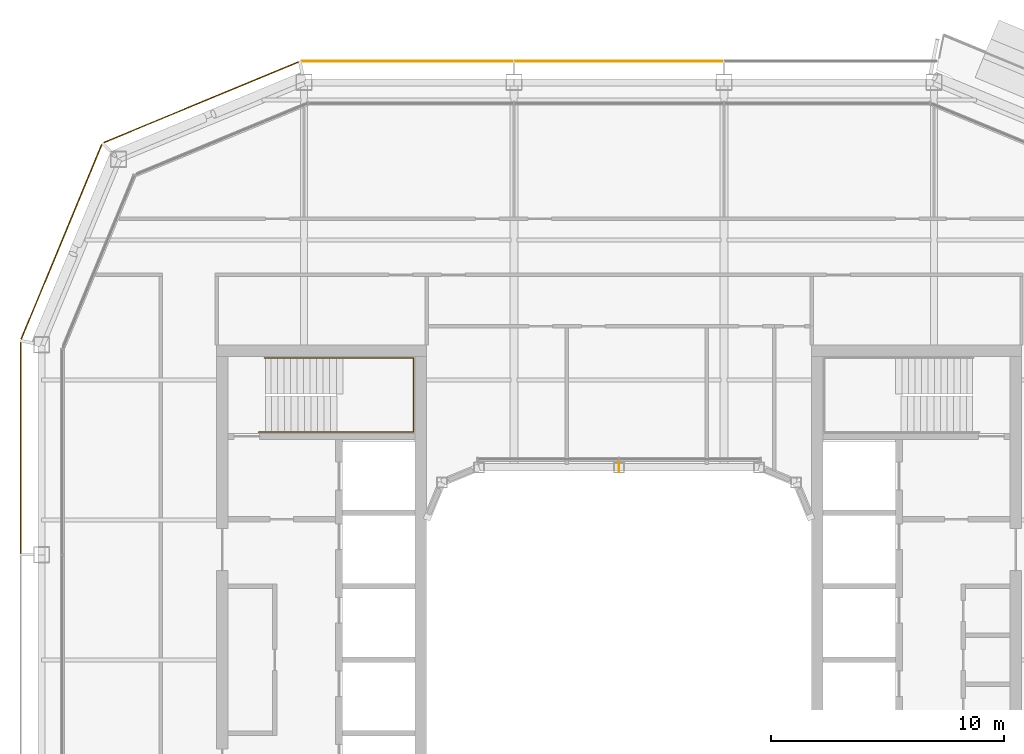
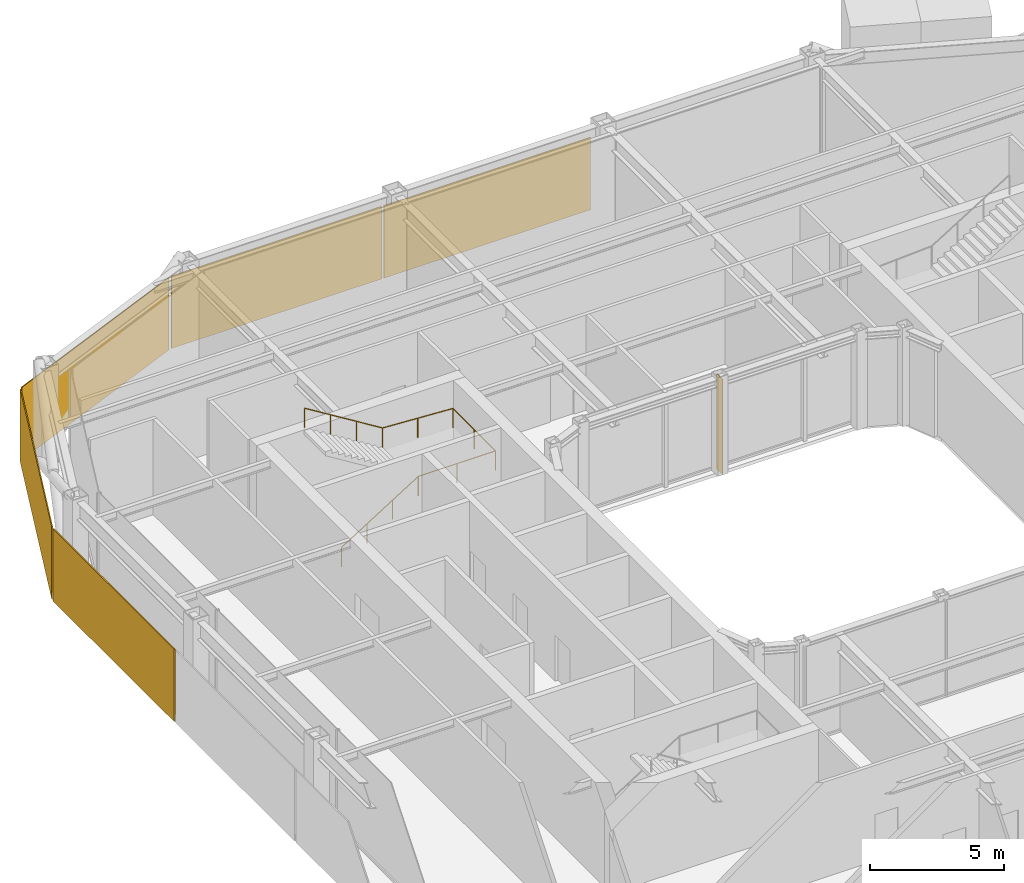
# One storey, part 19 of 21: 5 coverings, 1 railing, 1 shading device.
"""IFC4 building model written with IfcOpenShell, lengths in metres."""

from ifc_helpers import new_model, si_unit, direction, frame, origin, origin_2d, place, context, subcontext, project, spatial, rectangle, circle, extrude, material, layer, layer_set, type_object, element, save


model = new_model("IFC4")

# Units and contexts
model_context = context("Model", 3, precision=1e-05, world=origin(), true_north=direction((0.0, 1.0)))
body_context = subcontext(model_context, "Body", "Model", "MODEL_VIEW")
ifc_project = project(units=[si_unit("LENGTHUNIT", "METRE"), si_unit("AREAUNIT", "SQUARE_METRE"), si_unit("VOLUMEUNIT", "CUBIC_METRE"), si_unit("PLANEANGLEUNIT", "RADIAN"), si_unit("MASSUNIT", "GRAM", prefix="KILO")], contexts=[model_context])

# Site, building, storey
site_placement = place(None, origin())
site = spatial("IfcSite", under=ifc_project, at=site_placement, CompositionType="ELEMENT")
building_placement = place(site_placement, origin())
building = spatial("IfcBuilding", under=site, at=building_placement, Name="Siwar Civic Tower", CompositionType="ELEMENT")
storey_placement = place(building_placement, frame((0.0, 0.0, 325.699951171875)))
storey = spatial("IfcBuildingStorey", under=building, at=storey_placement, Name="L70", CompositionType="ELEMENT", Elevation=325.699951171875)

# Railing
ifc_material_1 = material(Name="Stainless steel", Category="steel")
railing_type = type_object("IfcRailingType", Name="CORE-STAIR-HANDRAIL", PredefinedType="HANDRAIL", material=ifc_material_1)
railing_placement = place(storey_placement, frame((-15.449951171875, 9.758056640625, 0.173095703125)))
element("IfcRailing", 1, at=railing_placement, inside=storey, type_object=railing_type, Name="Stair handrail ST1", PredefinedType="HANDRAIL", context=body_context, shape_type="SweptSolid", body=[
    extrude(circle(Radius=0.02001953125, at=origin_2d()), frame((0.0, 0.0, 0.8798828125), z_axis=(0.847063342986, 0.0, 0.531491950051), x_axis=(0.0, 1.0, 0.0)), (0.0, 0.0, 1.0), 3.90771484375),
    extrude(circle(Radius=0.02001953125, at=origin_2d()), frame((3.31005859375, 0.0, 2.956787109375), z_axis=(1.0, 0.0, 0.0), x_axis=(0.0, 1.0, 0.0)), (0.0, 0.0, 1.0), 3.331787109375),
    extrude(circle(Radius=0.02001953125, at=origin_2d()), frame((6.641845703125, 0.0, 2.956787109375), z_axis=(0.0, 1.0, 0.0), x_axis=(-1.0, 0.0, 0.0)), (0.0, 0.0, 1.0), 3.183837890625),
    extrude(circle(Radius=0.02001953125, at=origin_2d()), frame((6.641845703125, 3.183837890625, 2.956787109375), z_axis=(-0.99837434197, 0.0, 0.056997134106), x_axis=(0.0, -1.0, 0.0)), (0.0, 0.0, 1.0), 3.036865234375),
    extrude(circle(Radius=0.02001953125, at=origin_2d()), frame((3.60986328125, 3.183837890625, 3.1298828125), z_axis=(-0.850606129759, 0.0, 0.525803396734), x_axis=(0.0, -1.0, 0.0)), (0.0, 0.0, 1.0), 3.949951171875),
    extrude(circle(Radius=0.02001953125, at=origin_2d()), origin(), (0.0, 0.0, 1.0), 0.85986328125),
    extrude(circle(Radius=0.02001953125, at=origin_2d()), frame((1.103271484375, 0.0, 0.6923828125)), (0.0, 0.0, 1.0), 0.85986328125),
    extrude(circle(Radius=0.02001953125, at=origin_2d()), frame((2.206787109375, 0.0, 1.384521484375)), (0.0, 0.0, 1.0), 0.85986328125),
    extrude(circle(Radius=0.02001953125, at=origin_2d()), frame((3.31005859375, 0.0, 2.076904296875)), (0.0, 0.0, 1.0), 0.85986328125),
    extrude(circle(Radius=0.02001953125, at=origin_2d()), frame((4.97607421875, 0.0, 2.076904296875)), (0.0, 0.0, 1.0), 0.85986328125),
    extrude(circle(Radius=0.02001953125, at=origin_2d()), frame((6.641845703125, 0.0, 2.076904296875)), (0.0, 0.0, 1.0), 0.85986328125),
    extrude(circle(Radius=0.02001953125, at=origin_2d()), frame((6.641845703125, 1.591796875, 2.076904296875)), (0.0, 0.0, 1.0), 0.85986328125),
    extrude(circle(Radius=0.02001953125, at=origin_2d()), frame((6.641845703125, 3.183837890625, 2.076904296875)), (0.0, 0.0, 1.0), 0.85986328125),
    extrude(circle(Radius=0.02001953125, at=origin_2d()), frame((5.1259765625, 3.183837890625, 2.16357421875)), (0.0, 0.0, 1.0), 0.85986328125),
    extrude(circle(Radius=0.02001953125, at=origin_2d()), frame((3.60986328125, 3.183837890625, 2.25)), (0.0, 0.0, 1.0), 0.85986328125),
    extrude(circle(Radius=0.02001953125, at=origin_2d()), frame((2.489990234375, 3.183837890625, 2.9423828125)), (0.0, 0.0, 1.0), 0.85986328125),
    extrude(circle(Radius=0.02001953125, at=origin_2d()), frame((1.369873046875, 3.183837890625, 3.634521484375)), (0.0, 0.0, 1.0), 0.85986328125),
    extrude(circle(Radius=0.02001953125, at=origin_2d()), frame((0.25, 3.183837890625, 4.326904296875)), (0.0, 0.0, 1.0), 0.85986328125),
])

# Shading device
ifc_material_2 = material(Name="Aluminium 6063-T6", Category="aluminium")
ifc_layer_1 = layer(ifc_material_2, 0.02001953125)
ifc_layer_set_1 = layer_set([ifc_layer_1], Name="Aluminium 6063-T6")
shading_device_type = type_object("IfcShadingDeviceType", Name="ENV-FIN", PredefinedType="JALOUSIE", material=ifc_layer_set_1)
shading_device_placement = place(storey_placement, frame((0.0, 8.27001953125, 0.0), z_axis=(0.0, 0.0, 1.0), x_axis=(-1.0, 0.0, 0.0)))
element("IfcShadingDevice", 2, at=shading_device_placement, inside=storey, type_object=shading_device_type, Name="SUNSHADE fin WN 1", PredefinedType="JALOUSIE", context=body_context, shape_type="SweptSolid", body=[
    extrude(rectangle(XDim=0.02001953125, YDim=0.449951171875, at=origin_2d()), origin(), (0.0, 0.0, 1.0), 4.35009765625),
])

# Coverings
ifc_material_3 = material(Name="Perforated aluminium cassette, pale metal", Category="aluminium")
ifc_layer_2 = layer(ifc_material_3, 0.0400390625)
ifc_layer_set_2 = layer_set([ifc_layer_2], Name="Perforated aluminium cassette, pale metal")
covering_type_1 = type_object("IfcCoveringType", Name="ENV-OUTER SKIN OS-1", PredefinedType="CLADDING", material=ifc_layer_set_2)
covering_1_placement = place(storey_placement, frame((0.0, 25.64990234375, -0.14990234375), z_axis=(0.0, 0.0, 1.0), x_axis=(-1.0, 0.0, 0.0)))
element("IfcCovering", 3, at=covering_1_placement, inside=storey, type_object=covering_type_1, Name="OUTER SKIN OS-1 N 2", PredefinedType="CLADDING", context=body_context, shape_type="SweptSolid", body=[
    extrude(rectangle(XDim=8.89990234375, YDim=0.0400390625, at=origin_2d()), origin(), (0.0, 0.0, 1.0), 3.300048828125),
])
covering_2_placement = place(storey_placement, frame((-9.07958984375, 25.64990234375, -0.14990234375), z_axis=(0.0, 0.0, 1.0), x_axis=(-1.0, 0.0, 0.0)))
element("IfcCovering", 4, at=covering_2_placement, inside=storey, type_object=covering_type_1, Name="OUTER SKIN OS-1 N 3", PredefinedType="CLADDING", context=body_context, shape_type="SweptSolid", body=[
    extrude(rectangle(XDim=9.05908203125, YDim=0.0400390625, at=origin_2d()), origin(), (0.0, 0.0, 1.0), 3.300048828125),
])
covering_3_placement = place(storey_placement, frame((-17.911376953125, 23.89697265625, -0.14990234375), z_axis=(0.0, 0.0, 1.0), x_axis=(-0.923879532511, -0.382683432365, 0.0)))
element("IfcCovering", 5, at=covering_3_placement, inside=storey, type_object=covering_type_1, Name="OUTER SKIN OS-1 NW1 1", PredefinedType="CLADDING", context=body_context, shape_type="SweptSolid", body=[
    extrude(rectangle(XDim=9.022216796875, YDim=0.0400390625, at=origin_2d()), origin(), (0.0, 0.0, 1.0), 3.300048828125),
])
ifc_material_4 = material(Name="Perforated aluminium cassette, pale metal", Category="aluminium")
ifc_layer_3 = layer(ifc_material_4, 0.044921875)
ifc_layer_set_3 = layer_set([ifc_layer_3], Name="Perforated aluminium cassette, pale metal")
covering_type_2 = type_object("IfcCoveringType", Name="ENV-OUTER SKIN OS-2", PredefinedType="CLADDING", material=ifc_layer_set_3)
covering_4_placement = place(storey_placement, frame((-23.89697265625, 17.911376953125, -0.14990234375), z_axis=(0.0, 0.0, 1.0), x_axis=(-0.382683432365, -0.923879532511, 0.0)))
element("IfcCovering", 6, at=covering_4_placement, inside=storey, type_object=covering_type_2, Name="OUTER SKIN OS-2 NW2 1", PredefinedType="CLADDING", context=body_context, shape_type="SweptSolid", body=[
    extrude(rectangle(XDim=9.022216796875, YDim=0.044921875, at=origin_2d()), origin(), (0.0, 0.0, 1.0), 3.300048828125),
])
ifc_material_5 = material(Name="Perforated aluminium cassette, pale metal", Category="aluminium")
ifc_layer_4 = layer(ifc_material_5, 0.050048828125)
ifc_layer_set_4 = layer_set([ifc_layer_4], Name="Perforated aluminium cassette, pale metal")
covering_type_3 = type_object("IfcCoveringType", Name="ENV-OUTER SKIN OS-3", PredefinedType="CLADDING", material=ifc_layer_set_4)
covering_5_placement = place(storey_placement, frame((-25.64990234375, 9.07958984375, -0.14990234375), z_axis=(0.0, 0.0, 1.0), x_axis=(0.0, -1.0, 0.0)))
element("IfcCovering", 7, at=covering_5_placement, inside=storey, type_object=covering_type_3, Name="OUTER SKIN OS-3 W 1", PredefinedType="CLADDING", context=body_context, shape_type="SweptSolid", body=[
    extrude(rectangle(XDim=9.05908203125, YDim=0.050048828125, at=origin_2d()), origin(), (0.0, 0.0, 1.0), 3.300048828125),
])

save(model, "model.ifc")
